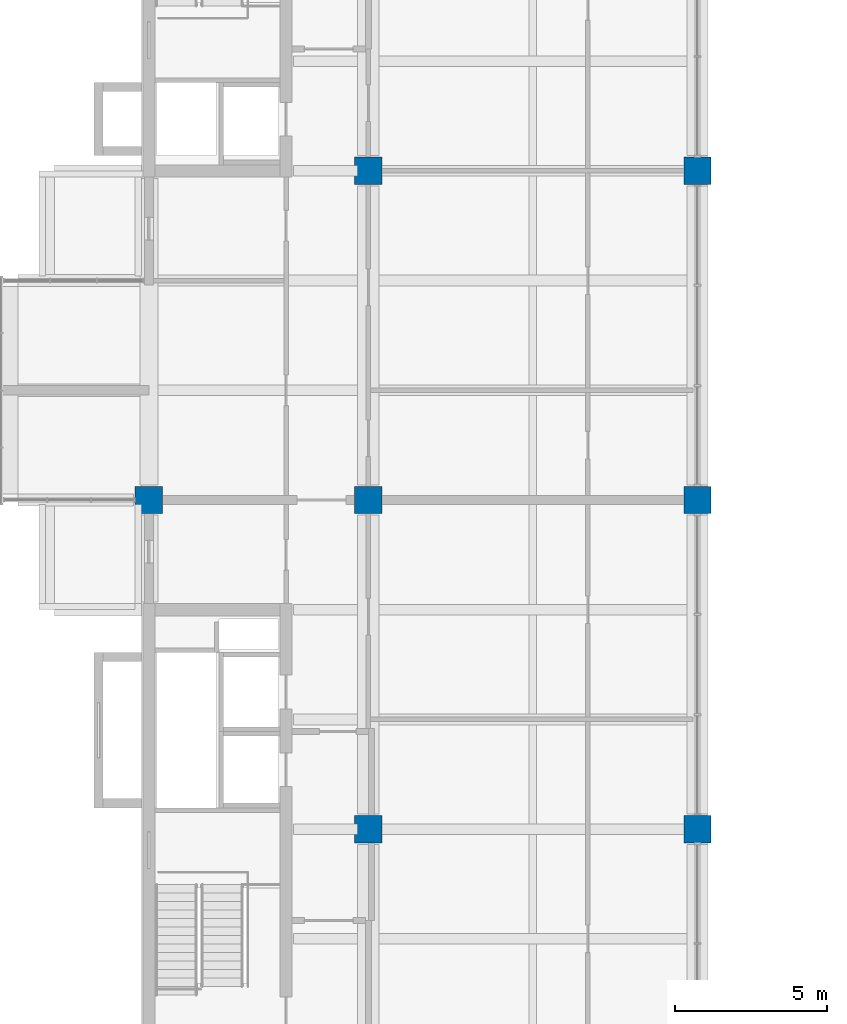
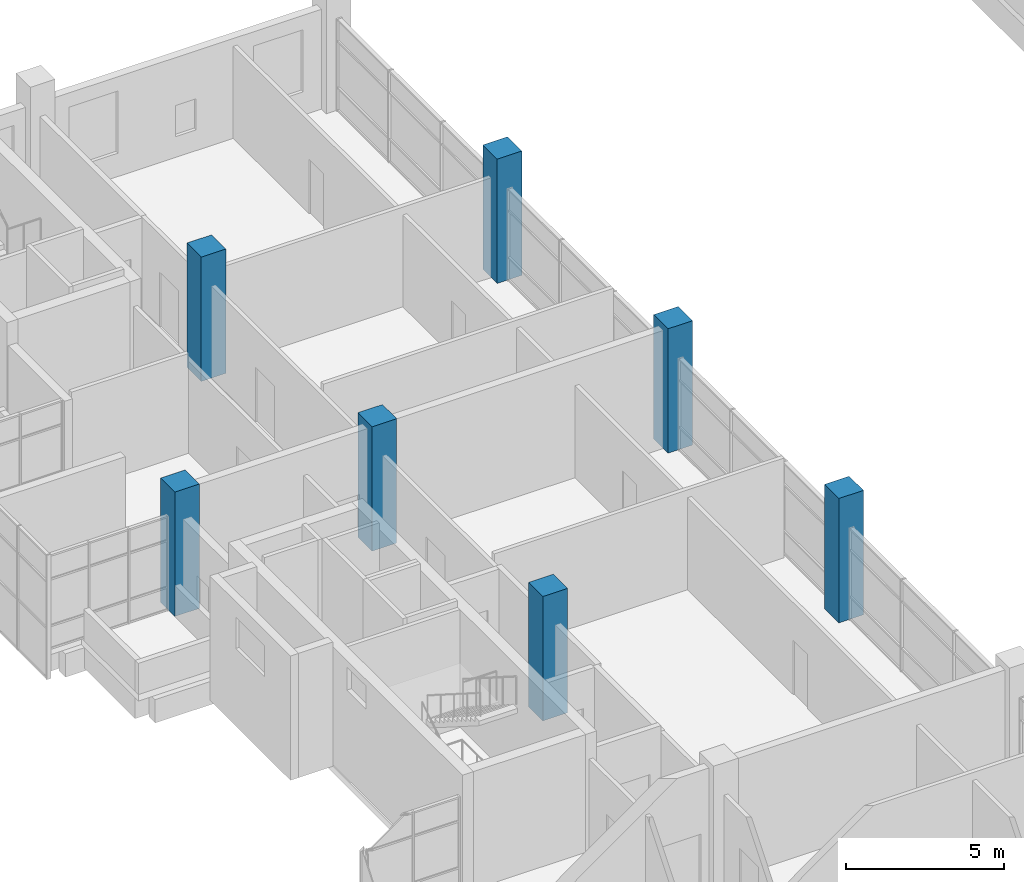
# One storey, part 3 of 32: 7 columns.
"""IFC4 building model written with IfcOpenShell, lengths in metres."""

from ifc_helpers import new_model, si_unit, direction, frame, origin, origin_2d, place, context, subcontext, project, spatial, rectangle, extrude, material, material_profile, profile_set, type_object, element, save


model = new_model("IFC4")

# Units and contexts
model_context = context("Model", 3, precision=1e-05, world=origin(), true_north=direction((0.0, 1.0)))
body_context = subcontext(model_context, "Body", "Model", "MODEL_VIEW")
ifc_project = project(units=[si_unit("LENGTHUNIT", "METRE"), si_unit("AREAUNIT", "SQUARE_METRE"), si_unit("VOLUMEUNIT", "CUBIC_METRE"), si_unit("PLANEANGLEUNIT", "RADIAN"), si_unit("MASSUNIT", "GRAM", prefix="KILO")], contexts=[model_context])

# Site, building, storey
site_placement = place(None, origin())
site = spatial("IfcSite", under=ifc_project, at=site_placement, CompositionType="ELEMENT")
building_placement = place(site_placement, origin())
building = spatial("IfcBuilding", under=site, at=building_placement, Name="Basin Gate Institute", CompositionType="ELEMENT")
storey_placement = place(building_placement, frame((0.0, 0.0, 41.39990234375)))
storey = spatial("IfcBuildingStorey", under=building, at=storey_placement, Name="L08", CompositionType="ELEMENT", Elevation=41.39990234375)

# Columns
ifc_material = material(Name="Concrete 50 MPa", Category="concrete")
ifc_material_profile = material_profile(ifc_material, rectangle(XDim=0.89990234375, YDim=0.89990234375, at=origin_2d()), Name="Column C3 900 x 900")
ifc_profile_set = profile_set([ifc_material_profile], Name="Concrete 50 MPa")
column_type = type_object("IfcColumnType", Name="Column C3 R120", PredefinedType="COLUMN", material=ifc_profile_set)
for number, where, z_axis, x_axis, name in (
    (1, (61.199951171875, 78.300048828125, 0.0), (0.0, 0.0, 1.0), (1.0, 0.0, 0.0), "COL/L08/4E"),
    (2, (68.39990234375, 67.5, 0.0), (0.0, 0.0, 1.0), (1.0, 0.0, 0.0), "COL/L08/5D"),
    (3, (68.39990234375, 78.300048828125, 0.0), (0.0, 0.0, 1.0), (1.0, 0.0, 0.0), "COL/L08/5E"),
    (4, (68.39990234375, 89.10009765625, 0.0), (0.0, 0.0, 1.0), (1.0, 0.0, 0.0), "COL/L08/5F"),
    (5, (79.199951171875, 67.5, 0.0), (0.0, 0.0, 1.0), (1.0, 0.0, 0.0), "COL/L08/6D"),
    (6, (79.199951171875, 78.300048828125, 0.0), (0.0, 0.0, 1.0), (1.0, 0.0, 0.0), "COL/L08/6E"),
    (7, (79.199951171875, 89.10009765625, 0.0), (0.0, 0.0, 1.0), (1.0, 0.0, 0.0), "COL/L08/6F"),
):
    element("IfcColumn", number, at=place(storey_placement, frame(where, z_axis=z_axis, x_axis=x_axis)), inside=storey, type_object=column_type, material=ifc_profile_set, Name=name, PredefinedType="COLUMN", context=body_context, shape_type="SweptSolid", body=[
        extrude(rectangle(XDim=0.89990234375, YDim=0.89990234375, at=origin_2d()), origin(), (0.0, 0.0, 1.0), 4.800048828125),
    ])

save(model, "model.ifc")
